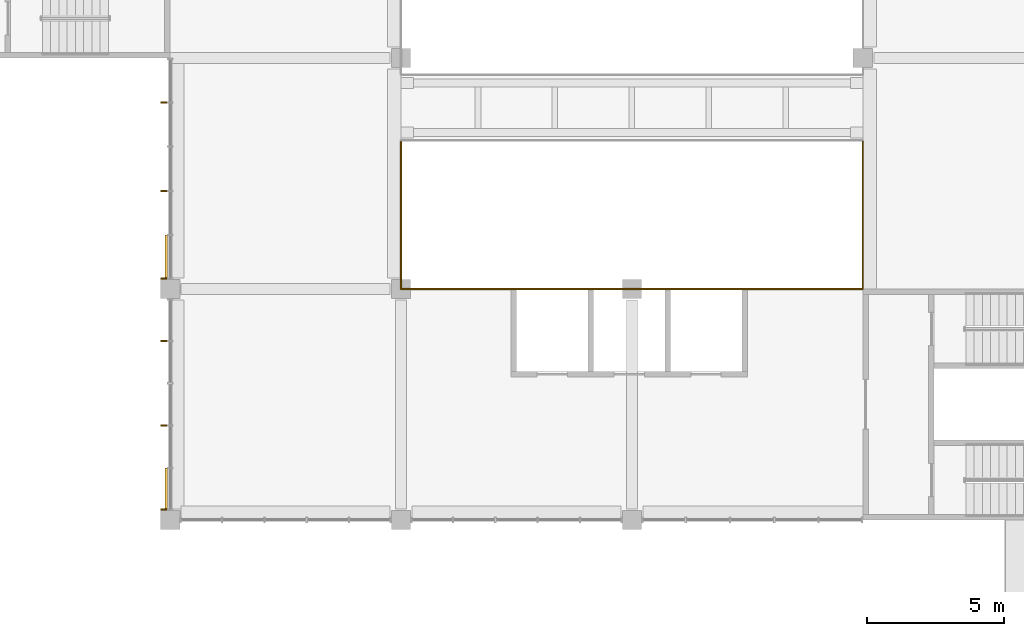
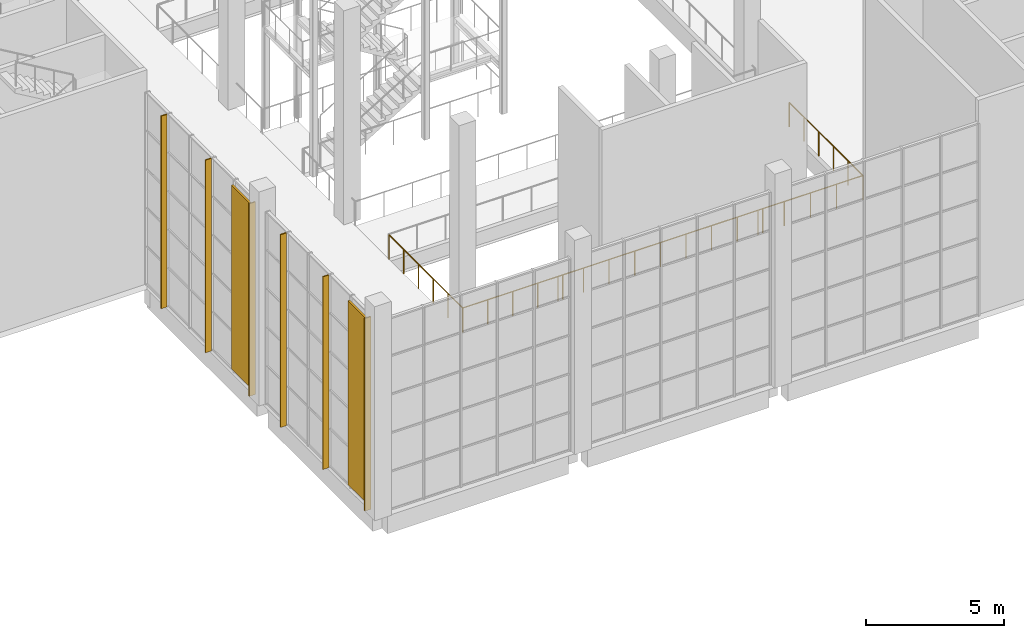
# One storey, part 99 of 114: 8 shading devices, 5 railings.
"""IFC4 building model written with IfcOpenShell, lengths in metres."""

from ifc_helpers import new_model, si_unit, direction, frame, origin, origin_2d, place, context, subcontext, project, spatial, rectangle, circle, extrude, material, material_profile, profile_set, type_object, element, save


model = new_model("IFC4")

# Units and contexts
model_context = context("Model", 3, precision=1e-05, world=origin(), true_north=direction((0.0, 1.0)))
body_context = subcontext(model_context, "Body", "Model", "MODEL_VIEW")
ifc_project = project(units=[si_unit("LENGTHUNIT", "METRE"), si_unit("AREAUNIT", "SQUARE_METRE"), si_unit("VOLUMEUNIT", "CUBIC_METRE"), si_unit("PLANEANGLEUNIT", "RADIAN"), si_unit("MASSUNIT", "GRAM", prefix="KILO")], contexts=[model_context])

# Site, building, storey
site_placement = place(None, origin())
site = spatial("IfcSite", under=ifc_project, at=site_placement, CompositionType="ELEMENT")
building_placement = place(site_placement, origin())
building = spatial("IfcBuilding", under=site, at=building_placement, Name="Almond Square Museum", CompositionType="ELEMENT")
storey_placement = place(building_placement, frame((0.0, 0.0, 10.5)))
storey = spatial("IfcBuildingStorey", under=building, at=storey_placement, Name="L02", CompositionType="ELEMENT", Elevation=10.5)

# Railings
ifc_material_1 = material(Name="Laminated glass and stainless steel", Category="steel")
railing_type = type_object("IfcRailingType", Name="Atrium guard 1100 glass balustrade", PredefinedType="GUARDRAIL", material=ifc_material_1)
for number, where, name in (
    (1, (81.60009765625, 75.60009765625, 0.0), "L02 atrium guard 1"),
    (2, (98.39990234375, 75.60009765625, 0.0), "L02 atrium guard 5"),
):
    element("IfcRailing", number, at=place(storey_placement, frame(where)), inside=storey, type_object=railing_type, Name=name, PredefinedType="GUARDRAIL", context=body_context, shape_type="SweptSolid", body=[
        extrude(circle(Radius=0.02392578125, at=origin_2d()), frame((0.0, 0.0, 1.076171875), z_axis=(0.0, 1.0, 0.0), x_axis=(-1.0, 0.0, 0.0)), (0.0, 0.0, 1.0), 5.349853515625),
        extrude(circle(Radius=0.02099609375, at=origin_2d()), origin(), (0.0, 0.0, 1.0), 1.052001953125),
        extrude(circle(Radius=0.02099609375, at=origin_2d()), frame((0.0, 1.070068359375, 0.0)), (0.0, 0.0, 1.0), 1.052001953125),
        extrude(circle(Radius=0.02099609375, at=origin_2d()), frame((0.0, 2.139892578125, 0.0)), (0.0, 0.0, 1.0), 1.052001953125),
        extrude(circle(Radius=0.02099609375, at=origin_2d()), frame((0.0, 3.2099609375, 0.0)), (0.0, 0.0, 1.0), 1.052001953125),
        extrude(circle(Radius=0.02099609375, at=origin_2d()), frame((0.0, 4.27978515625, 0.0)), (0.0, 0.0, 1.0), 1.052001953125),
        extrude(circle(Radius=0.02099609375, at=origin_2d()), frame((0.0, 5.349853515625, 0.0)), (0.0, 0.0, 1.0), 1.052001953125),
    ])
railing_1_placement = place(storey_placement, frame((81.60009765625, 75.60009765625, 0.0)))
element("IfcRailing", 3, at=railing_1_placement, inside=storey, type_object=railing_type, Name="L02 atrium guard 8", PredefinedType="GUARDRAIL", context=body_context, shape_type="SweptSolid", body=[
    extrude(circle(Radius=0.02392578125, at=origin_2d()), frame((0.0, 0.0, 1.076171875), z_axis=(1.0, 0.0, 0.0), x_axis=(0.0, 1.0, 0.0)), (0.0, 0.0, 1.0), 4.199951171875),
    extrude(circle(Radius=0.02099609375, at=origin_2d()), origin(), (0.0, 0.0, 1.0), 1.052001953125),
    extrude(circle(Radius=0.02099609375, at=origin_2d()), frame((1.050048828125, 0.0, 0.0)), (0.0, 0.0, 1.0), 1.052001953125),
    extrude(circle(Radius=0.02099609375, at=origin_2d()), frame((2.10009765625, 0.0, 0.0)), (0.0, 0.0, 1.0), 1.052001953125),
    extrude(circle(Radius=0.02099609375, at=origin_2d()), frame((3.14990234375, 0.0, 0.0)), (0.0, 0.0, 1.0), 1.052001953125),
    extrude(circle(Radius=0.02099609375, at=origin_2d()), frame((4.199951171875, 0.0, 0.0)), (0.0, 0.0, 1.0), 1.052001953125),
])
railing_2_placement = place(storey_placement, frame((94.0, 75.60009765625, 0.0)))
element("IfcRailing", 4, at=railing_2_placement, inside=storey, type_object=railing_type, Name="L02 atrium guard 9", PredefinedType="GUARDRAIL", context=body_context, shape_type="SweptSolid", body=[
    extrude(circle(Radius=0.02392578125, at=origin_2d()), frame((0.0, 0.0, 1.076171875), z_axis=(1.0, 0.0, 0.0), x_axis=(0.0, 1.0, 0.0)), (0.0, 0.0, 1.0), 4.39990234375),
    extrude(circle(Radius=0.02099609375, at=origin_2d()), origin(), (0.0, 0.0, 1.0), 1.052001953125),
    extrude(circle(Radius=0.02099609375, at=origin_2d()), frame((1.10009765625, 0.0, 0.0)), (0.0, 0.0, 1.0), 1.052001953125),
    extrude(circle(Radius=0.02099609375, at=origin_2d()), frame((2.199951171875, 0.0, 0.0)), (0.0, 0.0, 1.0), 1.052001953125),
    extrude(circle(Radius=0.02099609375, at=origin_2d()), frame((3.2998046875, 0.0, 0.0)), (0.0, 0.0, 1.0), 1.052001953125),
    extrude(circle(Radius=0.02099609375, at=origin_2d()), frame((4.39990234375, 0.0, 0.0)), (0.0, 0.0, 1.0), 1.052001953125),
])
railing_3_placement = place(storey_placement, frame((85.60009765625, 75.60009765625, 0.0)))
element("IfcRailing", 5, at=railing_3_placement, inside=storey, type_object=railing_type, Name="L02 atrium lift bank guard", PredefinedType="GUARDRAIL", context=body_context, shape_type="SweptSolid", body=[
    extrude(circle(Radius=0.02392578125, at=origin_2d()), frame((0.0, 0.0, 1.076171875), z_axis=(1.0, 0.0, 0.0), x_axis=(0.0, 1.0, 0.0)), (0.0, 0.0, 1.0), 8.599853515625),
    extrude(circle(Radius=0.02099609375, at=origin_2d()), origin(), (0.0, 0.0, 1.0), 1.052001953125),
    extrude(circle(Radius=0.02099609375, at=origin_2d()), frame((1.074951171875, 0.0, 0.0)), (0.0, 0.0, 1.0), 1.052001953125),
    extrude(circle(Radius=0.02099609375, at=origin_2d()), frame((2.14990234375, 0.0, 0.0)), (0.0, 0.0, 1.0), 1.052001953125),
    extrude(circle(Radius=0.02099609375, at=origin_2d()), frame((3.224853515625, 0.0, 0.0)), (0.0, 0.0, 1.0), 1.052001953125),
    extrude(circle(Radius=0.02099609375, at=origin_2d()), frame((4.2998046875, 0.0, 0.0)), (0.0, 0.0, 1.0), 1.052001953125),
    extrude(circle(Radius=0.02099609375, at=origin_2d()), frame((5.375, 0.0, 0.0)), (0.0, 0.0, 1.0), 1.052001953125),
    extrude(circle(Radius=0.02099609375, at=origin_2d()), frame((6.449951171875, 0.0, 0.0)), (0.0, 0.0, 1.0), 1.052001953125),
    extrude(circle(Radius=0.02099609375, at=origin_2d()), frame((7.52490234375, 0.0, 0.0)), (0.0, 0.0, 1.0), 1.052001953125),
    extrude(circle(Radius=0.02099609375, at=origin_2d()), frame((8.599853515625, 0.0, 0.0)), (0.0, 0.0, 1.0), 1.052001953125),
])

# Shading devices
ifc_material_2 = material(Name="Anodised aluminium louvre", Category="aluminium")
shading_device_type_1 = type_object("IfcShadingDeviceType", Name="Storm louvre shutter", PredefinedType="SHUTTER", material=ifc_material_2)
shading_device_1_placement = place(storey_placement, frame((73.06201171875, 76.77001953125, 0.199951171875), z_axis=(0.0, 0.0, 1.0), x_axis=(1.0, 0.0, 0.0)))
element("IfcShadingDevice", 6, at=shading_device_1_placement, inside=storey, type_object=shading_device_type_1, Name="Storm louvre shutter", PredefinedType="SHUTTER", context=body_context, shape_type="SweptSolid", body=[
    extrude(rectangle(XDim=0.080078125, YDim=1.580078125, at=origin_2d()), origin(), (0.0, 0.0, 1.0), 8.14990234375),
])
shading_device_2_placement = place(storey_placement, frame((73.06201171875, 68.3349609375, 0.199951171875), z_axis=(0.0, 0.0, 1.0), x_axis=(1.0, 0.0, 0.0)))
element("IfcShadingDevice", 7, at=shading_device_2_placement, inside=storey, type_object=shading_device_type_1, Name="Storm louvre shutter", PredefinedType="SHUTTER", context=body_context, shape_type="SweptSolid", body=[
    extrude(rectangle(XDim=0.080078125, YDim=1.510009765625, at=origin_2d()), origin(), (0.0, 0.0, 1.0), 8.14990234375),
])
ifc_material_3 = material(Name="Cedar timber fin", Category="wood")
ifc_material_profile = material_profile(ifc_material_3, rectangle(XDim=0.25, YDim=0.050048828125, at=origin_2d()))
ifc_profile_set = profile_set([ifc_material_profile], Name="Cedar timber fin")
shading_device_type_2 = type_object("IfcShadingDeviceType", Name="Timber fin 250 x 50", PredefinedType="USERDEFINED", material=ifc_profile_set)
for number, where, z_axis, x_axis, name in (
    (8, (72.97705078125, 75.97998046875, 0.0), (0.0, 0.0, 1.0), (-1.0, 0.0, 0.0), "Timber fin"),
    (9, (72.97705078125, 79.169921875, 0.0), (0.0, 0.0, 1.0), (-1.0, 0.0, 0.0), "Timber fin"),
    (10, (72.97705078125, 82.389892578125, 0.0), (0.0, 0.0, 1.0), (-1.0, 0.0, 0.0), "Timber fin"),
    (11, (72.97705078125, 67.580078125, 0.0), (0.0, 0.0, 1.0), (-1.0, 0.0, 0.0), "Timber fin"),
    (12, (72.97705078125, 70.6298828125, 0.0), (0.0, 0.0, 1.0), (-1.0, 0.0, 0.0), "Timber fin"),
    (13, (72.97705078125, 73.7099609375, 0.0), (0.0, 0.0, 1.0), (-1.0, 0.0, 0.0), "Timber fin"),
):
    element("IfcShadingDevice", number, at=place(storey_placement, frame(where, z_axis=z_axis, x_axis=x_axis)), inside=storey, type_object=shading_device_type_2, Name=name, ObjectType="FIN", PredefinedType="USERDEFINED", context=body_context, shape_type="SweptSolid", body=[
        extrude(rectangle(XDim=0.25, YDim=0.050048828125, at=origin_2d()), origin(), (0.0, 0.0, 1.0), 8.550048828125),
    ])

save(model, "model.ifc")
